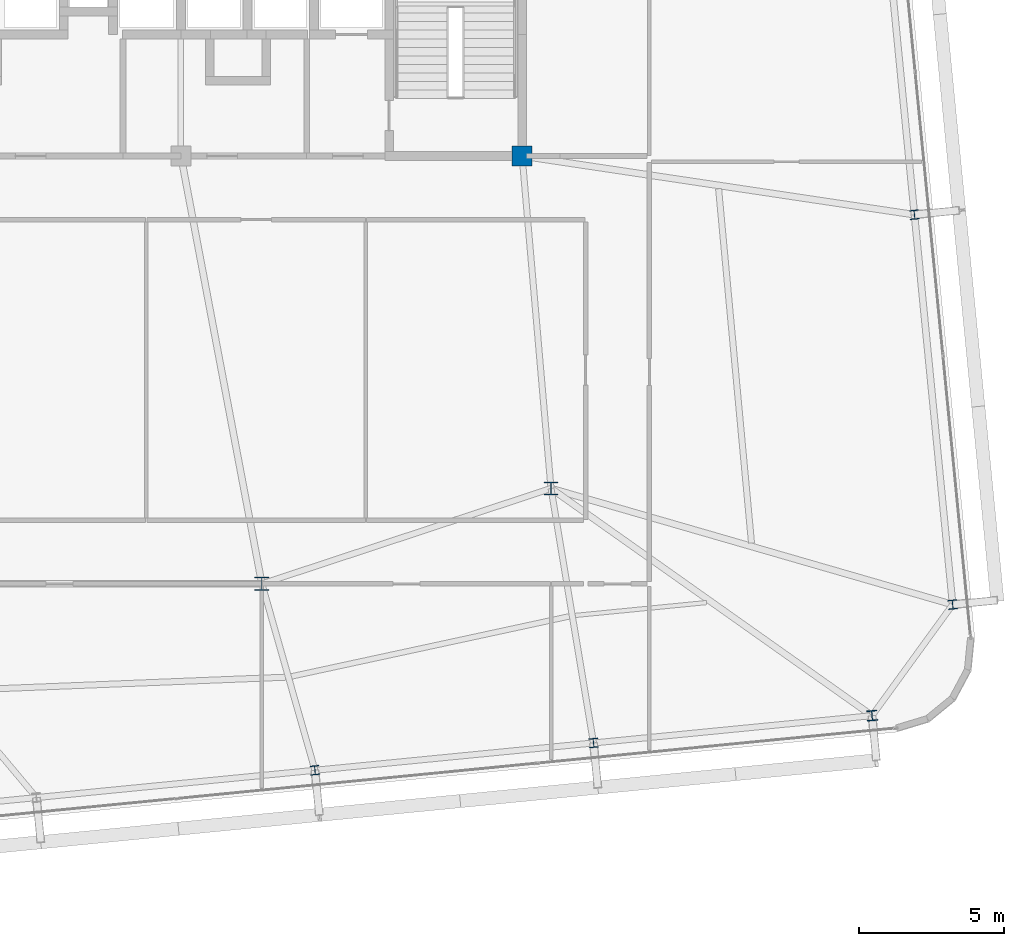
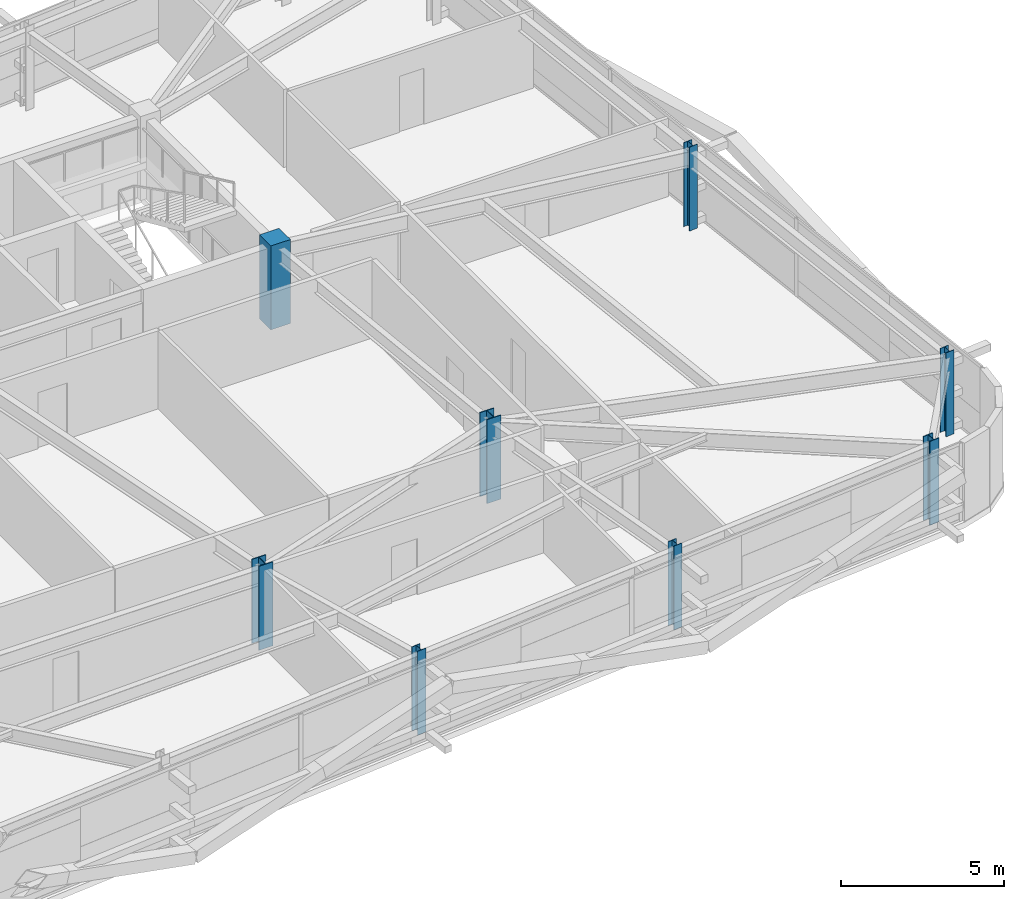
# One storey, part 2 of 47: 8 columns.
"""IFC4 building model written with IfcOpenShell, lengths in metres."""

from ifc_helpers import new_model, si_unit, direction, frame, origin, origin_2d, place, context, subcontext, project, spatial, rectangle, i_section, extrude, source, transform, mapped, material, material_profile, profile_set, type_object, element, save


model = new_model("IFC4")

# Units and contexts
model_context = context("Model", 3, precision=1e-05, world=origin(), true_north=direction((0.0, 1.0)))
body_context = subcontext(model_context, "Body", "Model", "MODEL_VIEW")
ifc_project = project(units=[si_unit("LENGTHUNIT", "METRE"), si_unit("AREAUNIT", "SQUARE_METRE"), si_unit("VOLUMEUNIT", "CUBIC_METRE"), si_unit("PLANEANGLEUNIT", "RADIAN"), si_unit("MASSUNIT", "GRAM", prefix="KILO")], contexts=[model_context])

# Site, building, storey
site_placement = place(None, origin())
site = spatial("IfcSite", under=ifc_project, at=site_placement, CompositionType="ELEMENT")
building_placement = place(site_placement, origin())
building = spatial("IfcBuilding", under=site, at=building_placement, Name="Taldren Reach Tower", CompositionType="ELEMENT")
storey_placement = place(building_placement, frame((0.0, 0.0, 106.050048828125)))
storey = spatial("IfcBuildingStorey", under=building, at=storey_placement, Name="L32", CompositionType="ELEMENT", Elevation=106.050048828125)

# Columns
ifc_material_1 = material(Name="Steel Gr 350 (350PLUS)", Category="steel")
ifc_material_profile_1 = material_profile(ifc_material_1, i_section(OverallWidth=0.5, OverallDepth=0.464111328125, WebThickness=0.02197265625, FlangeThickness=0.033935546875, at=origin_2d()), Name="500WC340")
ifc_profile_set_1 = profile_set([ifc_material_profile_1], Name="Steel Gr 350 (350PLUS)")
column_type_1 = type_object("IfcColumnType", Name="COL-WC500B", PredefinedType="COLUMN", material=ifc_profile_set_1)
shared_shape_1 = source(origin(), body_context, "Body", "SweptSolid", [
    extrude(i_section(OverallWidth=0.5, OverallDepth=0.464111328125, WebThickness=0.02197265625, FlangeThickness=0.033935546875, at=origin_2d()), origin(), (0.0, 0.0, 1.0), 3.14990234375),
])
for number, where, z_axis, x_axis, name in (
    (1, (42.0, 9.199951171875, 0.0), (0.0, 0.0, 1.0), (1.0, 0.0, 0.0), "Mega column MC-PJE L32"),
    (2, (52.0, 12.5, 0.0), (0.0, 0.0, 1.0), (1.0, 0.0, 0.0), "Mega column MC-SE L32"),
):
    element("IfcColumn", number, at=place(storey_placement, frame(where, z_axis=z_axis, x_axis=x_axis)), inside=storey, type_object=column_type_1, Name=name, PredefinedType="COLUMN", context=body_context, shape_type="MappedRepresentation", body=[
        mapped(shared_shape_1, transform((0.0, 0.0, 0.0), scale=1.0)),
    ])
ifc_material_2 = material(Name="Concrete S65 (65 MPa)", Category="concrete")
ifc_material_profile_2 = material_profile(ifc_material_2, rectangle(XDim=0.699951171875, YDim=0.699951171875, at=origin_2d()), Name="RC-700x700")
ifc_profile_set_2 = profile_set([ifc_material_profile_2], Name="Concrete S65 (65 MPa)")
column_type_2 = type_object("IfcColumnType", Name="COL-RC700", PredefinedType="COLUMN", material=ifc_profile_set_2)
shared_shape_2 = source(origin(), body_context, "Body", "SweptSolid", [
    extrude(rectangle(XDim=0.699951171875, YDim=0.699951171875, at=origin_2d()), origin(), (0.0, 0.0, 1.0), 3.14990234375),
])
column_1_placement = place(storey_placement, frame((51.0, 24.0, 0.0), z_axis=(0.0, 0.0, 1.0), x_axis=(1.0, 0.0, 0.0)))
element("IfcColumn", 3, at=column_1_placement, inside=storey, type_object=column_type_2, Name="Mega column MC-C4 L32", PredefinedType="COLUMN", context=body_context, shape_type="MappedRepresentation", body=[
    mapped(shared_shape_2, transform((0.0, 0.0, 0.0), scale=1.0)),
])
ifc_material_profile_3 = material_profile(ifc_material_1, i_section(OverallWidth=0.35009765625, OverallDepth=0.35595703125, WebThickness=0.01806640625, FlangeThickness=0.028076171875, at=origin_2d()), Name="350WC197")
ifc_profile_set_3 = profile_set([ifc_material_profile_3], Name="Steel Gr 350 (350PLUS)")
column_type_3 = type_object("IfcColumnType", Name="COL-WC350", PredefinedType="COLUMN", material=ifc_profile_set_3)
shared_shape_3 = source(origin(), body_context, "Body", "SweptSolid", [
    extrude(i_section(OverallWidth=0.35009765625, OverallDepth=0.35595703125, WebThickness=0.01806640625, FlangeThickness=0.028076171875, at=origin_2d()), origin(), (0.0, 0.0, 1.0), 3.14990234375),
])
column_2_placement = place(storey_placement, frame((63.103271484375, 4.64306640625, 0.0), z_axis=(0.0, 0.0, 1.0), x_axis=(0.995227399982, 0.097582899759, 0.0)))
element("IfcColumn", 4, at=column_2_placement, inside=storey, type_object=column_type_3, Name="Block B2 perimeter column S6 L32", PredefinedType="COLUMN", context=body_context, shape_type="MappedRepresentation", body=[
    mapped(shared_shape_3, transform((0.0, 0.0, 0.0), scale=1.0)),
])
ifc_material_profile_4 = material_profile(ifc_material_1, i_section(OverallWidth=0.306884765625, OverallDepth=0.31494140625, WebThickness=0.011962890625, FlangeThickness=0.018798828125, at=origin_2d()), Name="310UC118")
ifc_profile_set_4 = profile_set([ifc_material_profile_4], Name="Steel Gr 350 (350PLUS)")
column_type_4 = type_object("IfcColumnType", Name="COL-UC310B", PredefinedType="COLUMN", material=ifc_profile_set_4)
shared_shape_4 = source(origin(), body_context, "Body", "SweptSolid", [
    extrude(i_section(OverallWidth=0.306884765625, OverallDepth=0.31494140625, WebThickness=0.011962890625, FlangeThickness=0.018798828125, at=origin_2d()), origin(), (0.0, 0.0, 1.0), 3.14990234375),
])
for number, where, z_axis, x_axis, name in (
    (5, (43.83544921875, 2.75390625, 0.0), (0.0, 0.0, 1.0), (0.995227399982, 0.097582899759, 0.0), "Block B2 perimeter column S4 L32"),
    (6, (53.469482421875, 3.698486328125, 0.0), (0.0, 0.0, 1.0), (0.995227399982, 0.097582899759, 0.0), "Block B2 perimeter column S5 L32"),
    (7, (65.8916015625, 8.483642578125, 0.0), (0.0, 0.0, 1.0), (0.995227399982, 0.097582899759, 0.0), "Block B2 perimeter column E1 L32"),
    (8, (64.569580078125, 21.968994140625, 0.0), (0.0, 0.0, 1.0), (0.995227399982, 0.097582899759, 0.0), "Block B2 perimeter column E2 L32"),
):
    element("IfcColumn", number, at=place(storey_placement, frame(where, z_axis=z_axis, x_axis=x_axis)), inside=storey, type_object=column_type_4, Name=name, PredefinedType="COLUMN", context=body_context, shape_type="MappedRepresentation", body=[
        mapped(shared_shape_4, transform((0.0, 0.0, 0.0), scale=1.0)),
    ])

save(model, "model.ifc")
